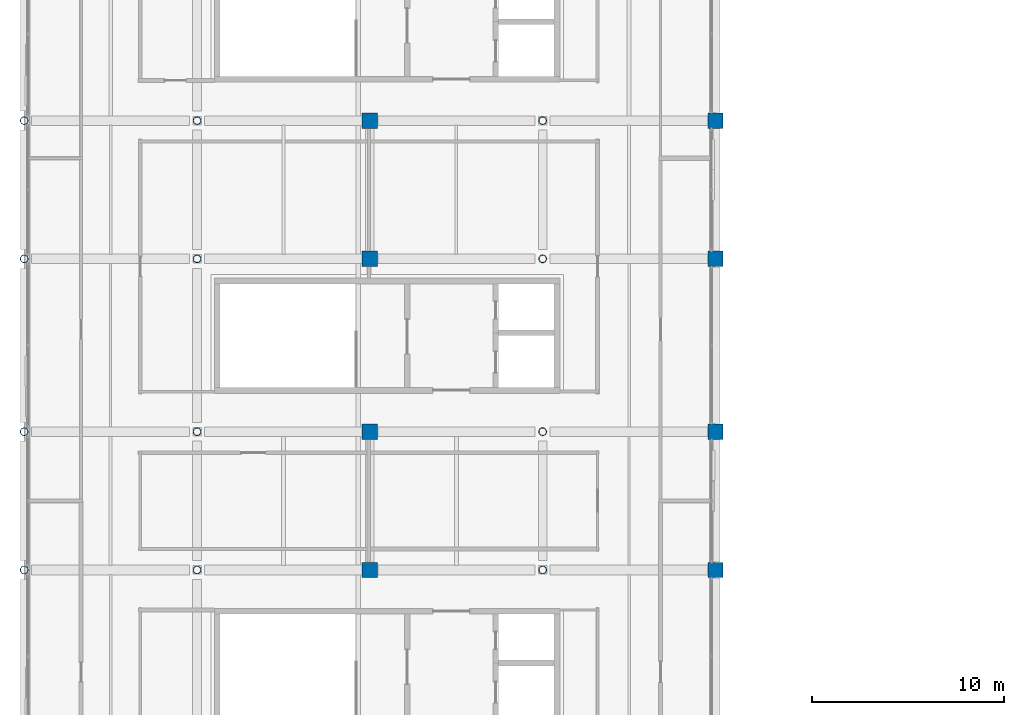
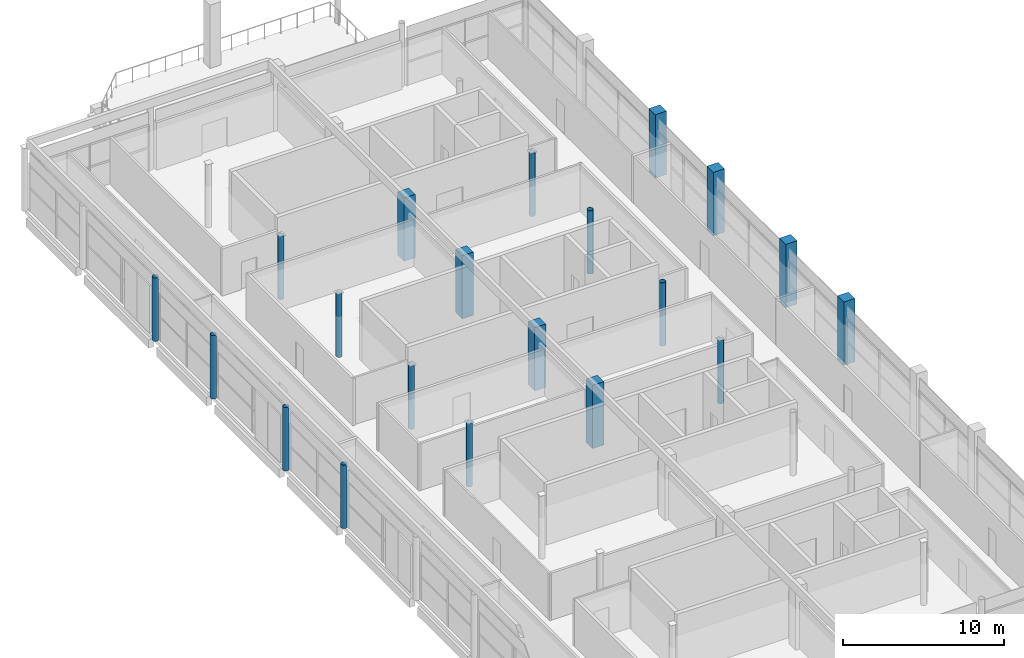
# One storey, part 3 of 114: 20 columns.
"""IFC4 building model written with IfcOpenShell, lengths in metres."""

import ifcopenshell
import ifcopenshell.guid

model = None  # the IFC model being written
_history = None  # IfcOwnerHistory: only IFC2X3 demands one
_inside = {}  # id of a spatial element -> (the spatial element, [elements in it])
_under = {}  # id of a project, library or spatial element -> (it, [spatial elements below it])
_declared = {}  # id of a project -> (the project, [libraries it declares])
_typed = {}  # id of a type object -> (the type object, [elements of that type])
_made_of = {}  # id of a material, layer set ... -> (it, [elements and type objects made of it])


def new_model(schema):
    """Start an empty IFC model of exactly this schema.

    Asked for "IFC4X3", IfcOpenShell would pick the latest addendum, in which some entities
    have other attributes; the version numbers below select the first issue.
    IFC2X3 requires an IfcOwnerHistory on every rooted entity: one is made here for all.
    """
    global model, _history
    if schema == "IFC4X3":
        model = ifcopenshell.file(schema_version=(4, 3, 0, 0))
    else:
        model = ifcopenshell.file(schema=schema)
    _inside.clear()
    _under.clear()
    _declared.clear()
    _typed.clear()
    _made_of.clear()
    _history = None
    if model.schema == "IFC2X3":
        org = make("IfcOrganization", Name="unknown")
        user = make(
            "IfcPersonAndOrganization",
            ThePerson=make("IfcPerson", FamilyName="unknown"),
            TheOrganization=org,
        )
        app = make(
            "IfcApplication",
            ApplicationDeveloper=org,
            Version="unknown",
            ApplicationFullName="unknown",
            ApplicationIdentifier="unknown",
        )
        _history = make(
            "IfcOwnerHistory",
            OwningUser=user,
            OwningApplication=app,
            ChangeAction="ADDED",
            CreationDate=0,
        )
    return model


def make(cls, **values):
    """One entity of the class cls with the attributes given. An attribute that is None is left unset."""
    return model.create_entity(
        cls, **{name: value for name, value in values.items() if value is not None}
    )


def rooted(cls, **values):
    """An entity with a GlobalId (a new one), such as an element, a storey or a relation."""
    return make(cls, GlobalId=ifcopenshell.guid.new(), OwnerHistory=_history, **values)


def si_unit(unit_type, name, prefix=None):
    """IfcSIUnit, for example si_unit("LENGTHUNIT", "METRE", prefix="MILLI")."""
    return make("IfcSIUnit", UnitType=unit_type, Prefix=prefix, Name=name)


def assignment(units):
    """IfcUnitAssignment: the units of a project."""
    return None if units is None else make("IfcUnitAssignment", Units=units)


def point(xyz):
    """IfcCartesianPoint."""
    return None if xyz is None else make("IfcCartesianPoint", Coordinates=xyz)


def direction(xyz):
    """IfcDirection."""
    return None if xyz is None else make("IfcDirection", DirectionRatios=xyz)


def frame(location, z_axis=None, x_axis=None):
    """IfcAxis2Placement3D, a coordinate frame: its origin and axes. An axis left out is left unset."""
    return make(
        "IfcAxis2Placement3D",
        Location=point(location),
        Axis=direction(z_axis),
        RefDirection=direction(x_axis),
    )


def frame_2d(location, x_axis=None):
    """IfcAxis2Placement2D, a coordinate frame in the plane: its origin and x axis."""
    return make(
        "IfcAxis2Placement2D", Location=point(location), RefDirection=direction(x_axis)
    )


def origin():
    """The frame at (0, 0, 0) with its axes left unset."""
    return frame((0.0, 0.0, 0.0))


def origin_2d():
    """The frame at (0, 0) in the plane with its x axis left unset."""
    return frame_2d((0.0, 0.0))


def place(relative_to, where):
    """IfcLocalPlacement: puts the frame where relative to a parent placement (None: the world)."""
    return make(
        "IfcLocalPlacement", PlacementRelTo=relative_to, RelativePlacement=where
    )


def context(
    kind, dimensions, precision=None, world=None, true_north=None, identifier=None
):
    """IfcGeometricRepresentationContext, for example the 3D "Model" context."""
    return make(
        "IfcGeometricRepresentationContext",
        ContextIdentifier=identifier,
        ContextType=kind,
        CoordinateSpaceDimension=dimensions,
        Precision=precision,
        WorldCoordinateSystem=world,
        TrueNorth=true_north,
    )


def subcontext(parent, identifier, kind, view, scale=None):
    """IfcGeometricRepresentationSubContext, for example "Body" below "Model"."""
    return make(
        "IfcGeometricRepresentationSubContext",
        ContextIdentifier=identifier,
        ContextType=kind,
        ParentContext=parent,
        TargetScale=scale,
        TargetView=view,
    )


def project(units=None, contexts=None):
    """IfcProject with its units and contexts."""
    return rooted(
        "IfcProject",
        Name="project",
        RepresentationContexts=contexts,
        UnitsInContext=assignment(units),
    )


def spatial(cls, under=None, at=None, **own):
    """A site, building, storey or space (cls), placed at a placement, below another one or the project."""
    s = rooted(cls, ObjectPlacement=at, **own)
    if under is not None:
        _under.setdefault(under.id(), (under, []))[1].append(s)
    return s


def profile(cls, at=None, kind="AREA", **sizes):
    """A parametric profile (cls). Its sizes go by their IFC names, for example OverallWidth=200.0."""
    return make(cls, ProfileType=kind, Position=at, **sizes)


def rectangle(**sizes):
    """IfcRectangleProfileDef."""
    return profile("IfcRectangleProfileDef", **sizes)


def hollow_circle(**sizes):
    """IfcCircleHollowProfileDef."""
    return profile("IfcCircleHollowProfileDef", **sizes)


def extrude(swept, where, along, depth):
    """IfcExtrudedAreaSolid: the profile swept, set in the frame where, extruded along a direction by depth."""
    return make(
        "IfcExtrudedAreaSolid",
        SweptArea=swept,
        Position=where,
        ExtrudedDirection=direction(along),
        Depth=depth,
    )


def shape(context_of_items, identifier, shape_type, items):
    """IfcShapeRepresentation: the items that make up one representation, for example the "Body"."""
    return make(
        "IfcShapeRepresentation",
        ContextOfItems=context_of_items,
        RepresentationIdentifier=identifier,
        RepresentationType=shape_type,
        Items=items,
    )


def material(Name=None, Category=None):
    """IfcMaterial."""
    return make("IfcMaterial", Name=Name, Category=Category)


def material_profile(
    of_material, cross_section, Name=None, Category=None, Priority=None
):
    """IfcMaterialProfile: a cross section and its material."""
    return make(
        "IfcMaterialProfile",
        Name=Name,
        Material=of_material,
        Profile=cross_section,
        Priority=Priority,
        Category=Category,
    )


def profile_set(profiles, Name=None, composite=None):
    """IfcMaterialProfileSet."""
    return make(
        "IfcMaterialProfileSet",
        Name=Name,
        MaterialProfiles=profiles,
        CompositeProfile=composite,
    )


def made_of(thing, what):
    """Note that an element or type object is made of a material, layer set ...; save() writes the relation."""
    if what is not None:
        _made_of.setdefault(what.id(), (what, []))[1].append(thing)
    return thing


def type_object(cls, material=None, **own):
    """A type object (cls), such as IfcWallType, which elements share."""
    return made_of(rooted(cls, **own), material)


def element(
    cls,
    number,
    at=None,
    inside=None,
    cuts=None,
    type_object=None,
    material=None,
    context=None,
    identifier="Body",
    shape_type=None,
    held_by="IfcProductDefinitionShape",
    body=None,
    shapes=None,
    **own,
):
    """One element of the class cls, such as IfcWall. Its Tag is "e" and its number.

    at: its placement. inside: the storey or other place that contains it. cuts: it is an
    opening in that element (IfcRelVoidsElement). A single representation is given by context,
    identifier, shape_type and body (its items); several are given by shapes. held_by: the class
    of the entity that holds the representations. save() writes the other relations.
    """
    e = rooted(cls, Tag="e%d" % number, ObjectPlacement=at, **own)
    if body is not None:
        shapes = [shape(context, identifier, shape_type, body)]
    if shapes is not None:
        e.Representation = make(held_by, Representations=shapes)
    if inside is not None:
        _inside.setdefault(inside.id(), (inside, []))[1].append(e)
    if cuts is not None:
        rooted(
            "IfcRelVoidsElement", RelatingBuildingElement=cuts, RelatedOpeningElement=e
        )
    if type_object is not None:
        _typed.setdefault(type_object.id(), (type_object, []))[1].append(e)
    return made_of(e, material)


def aggregate(whole, parts):
    """IfcRelAggregates: a whole, such as a stair, and the parts it consists of."""
    return rooted("IfcRelAggregates", RelatingObject=whole, RelatedObjects=parts)


def save(model, path):
    """Write the relations noted so far, then the file.

    IfcRelAggregates (storeys below a building ...), IfcRelContainedInSpatialStructure (elements
    in a storey), IfcRelDefinesByType, IfcRelAssociatesMaterial and IfcRelDeclares: one each for
    every whole, place, type object, material and project.
    """
    for whole, parts in _under.values():
        aggregate(whole, parts)
    for where, things in _inside.values():
        rooted(
            "IfcRelContainedInSpatialStructure",
            RelatedElements=things,
            RelatingStructure=where,
        )
    for kind, things in _typed.values():
        rooted("IfcRelDefinesByType", RelatedObjects=things, RelatingType=kind)
    for what, things in _made_of.values():
        rooted("IfcRelAssociatesMaterial", RelatedObjects=things, RelatingMaterial=what)
    for by, libraries in _declared.values():
        rooted("IfcRelDeclares", RelatingContext=by, RelatedDefinitions=libraries)
    model.write(path)


model = new_model("IFC4")

# Units and contexts
model_context = context("Model", 3, precision=1e-05, world=origin(), true_north=direction((0.0, 1.0)))
body_context = subcontext(model_context, "Body", "Model", "MODEL_VIEW")
ifc_project = project(units=[si_unit("LENGTHUNIT", "METRE"), si_unit("AREAUNIT", "SQUARE_METRE"), si_unit("VOLUMEUNIT", "CUBIC_METRE"), si_unit("PLANEANGLEUNIT", "RADIAN"), si_unit("MASSUNIT", "GRAM", prefix="KILO"), si_unit("THERMODYNAMICTEMPERATUREUNIT", "KELVIN"), si_unit("POWERUNIT", "WATT")], contexts=[model_context])

# Site, building, storey
site_placement = place(None, origin())
site = spatial("IfcSite", under=ifc_project, at=site_placement, CompositionType="ELEMENT")
building_placement = place(site_placement, origin())
building = spatial("IfcBuilding", under=site, at=building_placement, Name="Sindhuravela Promenade Stadium", CompositionType="ELEMENT")
storey_placement = place(building_placement, frame((0.0, 0.0, 24.0)))
storey = spatial("IfcBuildingStorey", under=building, at=storey_placement, Name="L05", CompositionType="ELEMENT", Elevation=24.0)

# Columns
ifc_material_1 = material(Name="Concrete M40", Category="concrete")
ifc_material_profile_1 = material_profile(ifc_material_1, rectangle(XDim=0.800048828125, YDim=0.800048828125, at=origin_2d()), Name="RC 800x800")
ifc_profile_set_1 = profile_set([ifc_material_profile_1], Name="Concrete M40")
column_type_1 = type_object("IfcColumnType", Name="RC-CL-800x800", PredefinedType="COLUMN", material=ifc_profile_set_1)
for number, where, z_axis, x_axis, name in (
    (1, (18.0, 77.39990234375, 0.0), (0.0, 0.0, 1.0), (1.0, 0.0, 0.0), "Column C11 WEST L05"),
    (2, (18.0, 84.60009765625, 0.0), (0.0, 0.0, 1.0), (1.0, 0.0, 0.0), "Column C11 WEST L05"),
    (3, (18.0, 93.60009765625, 0.0), (0.0, 0.0, 1.0), (1.0, 0.0, 0.0), "Column C11 WEST L05"),
    (4, (18.0, 100.800048828125, 0.0), (0.0, 0.0, 1.0), (1.0, 0.0, 0.0), "Column C11 WEST L05"),
    (5, (36.0, 77.39990234375, 0.0), (0.0, 0.0, 1.0), (1.0, 0.0, 0.0), "Column C11 WEST L05"),
    (6, (36.0, 84.60009765625, 0.0), (0.0, 0.0, 1.0), (1.0, 0.0, 0.0), "Column C11 WEST L05"),
    (7, (36.0, 93.60009765625, 0.0), (0.0, 0.0, 1.0), (1.0, 0.0, 0.0), "Column C11 WEST L05"),
    (8, (36.0, 100.800048828125, 0.0), (0.0, 0.0, 1.0), (1.0, 0.0, 0.0), "Column C11 WEST L05"),
):
    element("IfcColumn", number, at=place(storey_placement, frame(where, z_axis=z_axis, x_axis=x_axis)), inside=storey, type_object=column_type_1, Name=name, PredefinedType="COLUMN", context=body_context, shape_type="SweptSolid", body=[
        extrude(rectangle(XDim=0.800048828125, YDim=0.800048828125, at=origin_2d()), origin(), (0.0, 0.0, 1.0), 4.800048828125),
    ])
ifc_material_2 = material(Name="Steel E350 (IS 2062 E350BR)", Category="steel")
ifc_material_profile_2 = material_profile(ifc_material_2, hollow_circle(Radius=0.203125, WallThickness=0.013916015625, at=origin_2d()), Name="CHS 406.4x14")
ifc_profile_set_2 = profile_set([ifc_material_profile_2], Name="Steel E350 (IS 2062 E350BR)")
column_type_2 = type_object("IfcColumnType", Name="ST-CL-CHS406", PredefinedType="COLUMN", material=ifc_profile_set_2)
for number, where, z_axis, x_axis, name in (
    (9, (0.0, 77.39990234375, 0.0), (0.0, 0.0, 1.0), (1.0, 0.0, 0.0), "Column SC05 WEST L05"),
    (10, (0.0, 84.60009765625, 0.0), (0.0, 0.0, 1.0), (1.0, 0.0, 0.0), "Column SC05 WEST L05"),
    (11, (0.0, 93.60009765625, 0.0), (0.0, 0.0, 1.0), (1.0, 0.0, 0.0), "Column SC05 WEST L05"),
    (12, (0.0, 100.800048828125, 0.0), (0.0, 0.0, 1.0), (1.0, 0.0, 0.0), "Column SC05 WEST L05"),
    (13, (9.0, 77.39990234375, 0.0), (0.0, 0.0, 1.0), (1.0, 0.0, 0.0), "Column SC05 WEST L05"),
    (14, (9.0, 84.60009765625, 0.0), (0.0, 0.0, 1.0), (1.0, 0.0, 0.0), "Column SC05 WEST L05"),
    (15, (9.0, 93.60009765625, 0.0), (0.0, 0.0, 1.0), (1.0, 0.0, 0.0), "Column SC05 WEST L05"),
    (16, (9.0, 100.800048828125, 0.0), (0.0, 0.0, 1.0), (1.0, 0.0, 0.0), "Column SC05 WEST L05"),
    (17, (27.0, 77.39990234375, 0.0), (0.0, 0.0, 1.0), (1.0, 0.0, 0.0), "Column SC05 WEST L05"),
    (18, (27.0, 84.60009765625, 0.0), (0.0, 0.0, 1.0), (1.0, 0.0, 0.0), "Column SC05 WEST L05"),
    (19, (27.0, 93.60009765625, 0.0), (0.0, 0.0, 1.0), (1.0, 0.0, 0.0), "Column SC05 WEST L05"),
    (20, (27.0, 100.800048828125, 0.0), (0.0, 0.0, 1.0), (1.0, 0.0, 0.0), "Column SC05 WEST L05"),
):
    element("IfcColumn", number, at=place(storey_placement, frame(where, z_axis=z_axis, x_axis=x_axis)), inside=storey, type_object=column_type_2, Name=name, PredefinedType="COLUMN", context=body_context, shape_type="SweptSolid", body=[
        extrude(hollow_circle(Radius=0.203125, WallThickness=0.013916015625, at=origin_2d()), origin(), (0.0, 0.0, 1.0), 4.800048828125),
    ])

save(model, "model.ifc")
